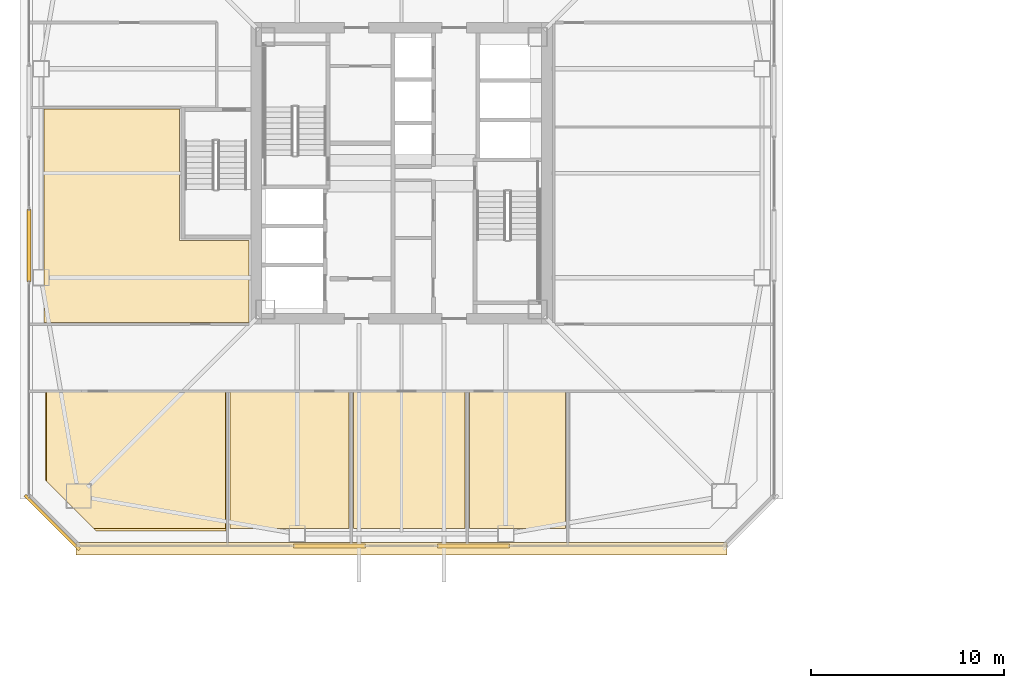
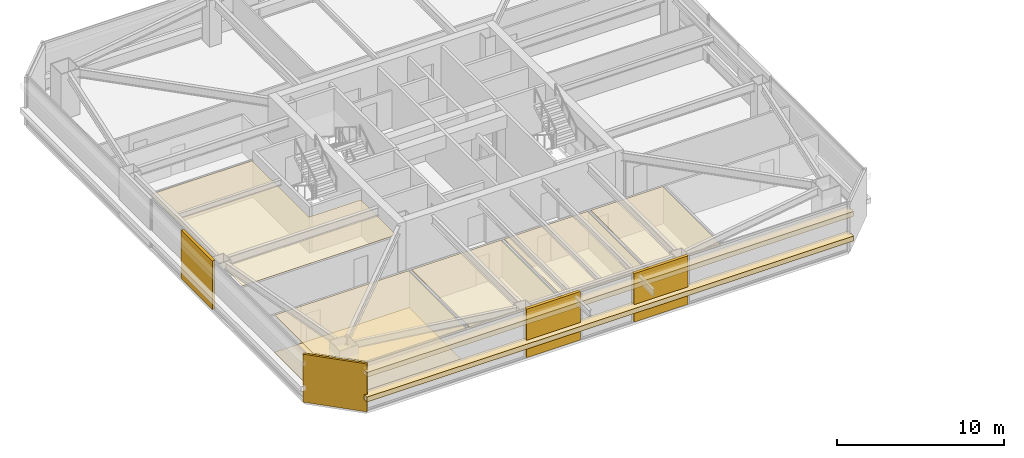
# One storey, part 37 of 42: 12 coverings.
"""IFC4 building model written with IfcOpenShell, lengths in metres."""

from ifc_helpers import new_model, si_unit, direction, frame, origin, origin_2d, place, context, subcontext, project, spatial, polyline, rectangle, outline, extrude, material, layer, layer_set, type_object, element, save


model = new_model("IFC4")

# Units and contexts
model_context = context("Model", 3, precision=1e-05, world=origin(), true_north=direction((0.0, 1.0)))
body_context = subcontext(model_context, "Body", "Model", "MODEL_VIEW")
ifc_project = project(units=[si_unit("LENGTHUNIT", "METRE"), si_unit("AREAUNIT", "SQUARE_METRE"), si_unit("VOLUMEUNIT", "CUBIC_METRE"), si_unit("PLANEANGLEUNIT", "RADIAN"), si_unit("MASSUNIT", "GRAM", prefix="KILO")], contexts=[model_context])

# Site, building, storey
site_placement = place(None, origin())
site = spatial("IfcSite", under=ifc_project, at=site_placement, CompositionType="ELEMENT")
building_placement = place(site_placement, origin())
building = spatial("IfcBuilding", under=site, at=building_placement, Name="Tashvorn Skyway Center", CompositionType="ELEMENT")
storey_placement = place(building_placement, frame((0.0, 0.0, 121.5)))
storey = spatial("IfcBuildingStorey", under=building, at=storey_placement, Name="L32", CompositionType="ELEMENT", Elevation=121.5)

# Coverings
ifc_material_1 = material(Name="Precast concrete C40/50", Category="concrete")
ifc_layer_1 = layer(ifc_material_1, 0.199951171875)
ifc_layer_set_1 = layer_set([ifc_layer_1], Name="Precast concrete C40/50")
covering_type_1 = type_object("IfcCoveringType", Name="COV-BRACE-CLAD", PredefinedType="CLADDING", material=ifc_layer_set_1)
for number, where, z_axis, x_axis, name in (
    (1, (45.728759765625, 12.719970703125, 0.0), (0.0, 0.0, 1.0), (-1.0, 0.0, 0.0), "Tower 1 L32 South Unitised Curtain Wall Mega-Brace Cladding Band 1"),
    (2, (38.271240234375, 12.719970703125, 0.0), (0.0, 0.0, 1.0), (-1.0, 0.0, 0.0), "Tower 1 L32 South Unitised Curtain Wall Mega-Brace Cladding Band 2"),
    (3, (22.719970703125, 28.271240234375, 0.0), (0.0, 0.0, 1.0), (0.0, 1.0, 0.0), "Tower 1 L32 West Unitised Curtain Wall Mega-Brace Cladding Band 1"),
):
    element("IfcCovering", number, at=place(storey_placement, frame(where, z_axis=z_axis, x_axis=x_axis)), inside=storey, type_object=covering_type_1, Name=name, PredefinedType="CLADDING", context=body_context, shape_type="SweptSolid", body=[
        extrude(rectangle(XDim=3.72900390625, YDim=0.199951171875, at=origin_2d()), origin(), (0.0, 0.0, 1.0), 3.550048828125),
    ])
ifc_material_2 = material(Name="Mineral-fibre acoustic ceiling tile on suspended grid")
ifc_layer_2 = layer(ifc_material_2, 0.02001953125)
ifc_layer_set_2 = layer_set([ifc_layer_2], Name="Mineral-fibre acoustic ceiling tile on suspended grid")
covering_type_2 = type_object("IfcCoveringType", Name="COV-CEIL-20", PredefinedType="CEILING", material=ifc_layer_set_2)
covering_1_placement = place(storey_placement, frame((0.0, 0.0, 2.702880859375)))
element("IfcCovering", 4, at=covering_1_placement, inside=storey, type_object=covering_type_2, Name="Tower 1 L32 Executive Study Lounge Acoustic Ceiling", PredefinedType="CEILING", context=body_context, shape_type="SweptSolid", body=[
    extrude(outline(polyline([(23.6201171875, 20.68994140625), (32.8798828125, 20.68994140625), (32.8798828125, 13.6201171875), (26.080078125, 13.6201171875), (23.6201171875, 16.080078125), (23.6201171875, 20.68994140625)])), origin(), (0.0, 0.0, 1.0), 0.02001953125),
])
covering_2_placement = place(storey_placement, frame((0.0, 0.0, 2.702880859375)))
element("IfcCovering", 5, at=covering_2_placement, inside=storey, type_object=covering_type_2, Name="Tower 1 L32 Design Studio Acoustic Ceiling", PredefinedType="CEILING", context=body_context, shape_type="SweptSolid", body=[
    extrude(outline(polyline([(33.1201171875, 20.68994140625), (39.280029296875, 20.68994140625), (39.280029296875, 13.6201171875), (33.1201171875, 13.6201171875), (33.1201171875, 20.68994140625)])), origin(), (0.0, 0.0, 1.0), 0.02001953125),
])
covering_3_placement = place(storey_placement, frame((0.0, 0.0, 2.702880859375)))
element("IfcCovering", 6, at=covering_3_placement, inside=storey, type_object=covering_type_2, Name="Tower 1 L32 Design Studio Acoustic Ceiling", PredefinedType="CEILING", context=body_context, shape_type="SweptSolid", body=[
    extrude(outline(polyline([(39.52001953125, 20.68994140625), (45.280029296875, 20.68994140625), (45.280029296875, 13.6201171875), (39.52001953125, 13.6201171875), (39.52001953125, 20.68994140625)])), origin(), (0.0, 0.0, 1.0), 0.02001953125),
])
covering_4_placement = place(storey_placement, frame((0.0, 0.0, 2.702880859375)))
element("IfcCovering", 7, at=covering_4_placement, inside=storey, type_object=covering_type_2, Name="Tower 1 L32 Reading Lounge Acoustic Ceiling", PredefinedType="CEILING", context=body_context, shape_type="SweptSolid", body=[
    extrude(outline(polyline([(45.52001953125, 20.68994140625), (50.47998046875, 20.68994140625), (50.47998046875, 13.6201171875), (45.52001953125, 13.6201171875), (45.52001953125, 20.68994140625)])), origin(), (0.0, 0.0, 1.0), 0.02001953125),
])
covering_5_placement = place(storey_placement, frame((0.0, 0.0, 2.702880859375)))
element("IfcCovering", 8, at=covering_5_placement, inside=storey, type_object=covering_type_2, Name="Tower 1 L32 Public Restroom Acoustic Ceiling", PredefinedType="CEILING", context=body_context, shape_type="SweptSolid", body=[
    extrude(outline(polyline([(34.1201171875, 24.280029296875), (23.5, 24.280029296875), (23.5, 28.52001953125), (23.5, 35.320068359375), (30.52001953125, 35.320068359375), (30.52001953125, 28.52001953125), (34.1201171875, 28.52001953125), (34.1201171875, 24.280029296875)])), origin(), (0.0, 0.0, 1.0), 0.02001953125),
])
ifc_material_3 = material(Name="Polished Mojave desert-aggregate terrazzo and cover plate")
ifc_layer_3 = layer(ifc_material_3, 0.0400390625)
ifc_layer_set_3 = layer_set([ifc_layer_3], Name="Polished Mojave desert-aggregate terrazzo and cover plate")
covering_type_3 = type_object("IfcCoveringType", Name="COV-FLR-40", PredefinedType="FLOORING", material=ifc_layer_set_3)
covering_6_placement = place(storey_placement, origin())
element("IfcCovering", 9, at=covering_6_placement, inside=storey, type_object=covering_type_3, Name="Tower 1 L32 Executive Study Lounge Finish Flooring", PredefinedType="FLOORING", context=body_context, shape_type="SweptSolid", body=[
    extrude(outline(polyline([(26.199951171875, 13.5), (23.580078125, 16.1201171875), (23.580078125, 20.64990234375), (32.919921875, 20.64990234375), (32.919921875, 13.5), (26.199951171875, 13.5)])), origin(), (0.0, 0.0, 1.0), 0.0400390625),
])
ifc_material_4 = material(Name="Perforated ceramic-coated bronze aluminium solar screen", Category="aluminium")
ifc_layer_4 = layer(ifc_material_4, 0.85009765625)
ifc_layer_set_4 = layer_set([ifc_layer_4], Name="Perforated ceramic-coated bronze aluminium solar screen")
covering_type_4 = type_object("IfcCoveringType", Name="COV-SOLAR-BAND", PredefinedType="CLADDING", material=ifc_layer_set_4)
for number, where, z_axis, x_axis, name in (
    (10, (42.0, 12.580078125, 0.919921875), (0.0, 0.0, 1.0), (-1.0, 0.0, 0.0), "L32 Perforated Ceramic-Metal Solar Screen Louvre Band South 1"),
    (11, (42.0, 12.580078125, 2.7197265625), (0.0, 0.0, 1.0), (-1.0, 0.0, 0.0), "L32 Perforated Ceramic-Metal Solar Screen Louvre Band South 2"),
):
    element("IfcCovering", number, at=place(storey_placement, frame(where, z_axis=z_axis, x_axis=x_axis)), inside=storey, type_object=covering_type_4, Name=name, PredefinedType="CLADDING", context=body_context, shape_type="SweptSolid", body=[
        extrude(rectangle(XDim=33.679931640625, YDim=0.639892578125, at=origin_2d()), origin(), (0.0, 0.0, 1.0), 0.360107421875),
    ])
ifc_layer_5 = layer(ifc_material_1, 0.35009765625)
ifc_layer_set_5 = layer_set([ifc_layer_5], Name="Precast concrete C40/50")
covering_type_5 = type_object("IfcCoveringType", Name="COV-STONE-TRIM", PredefinedType="CLADDING", material=ifc_layer_set_5)
covering_7_placement = place(storey_placement, frame((23.929931640625, 13.929931640625, 0.02001953125), z_axis=(0.0, 0.0, 1.0), x_axis=(-0.707106781187, 0.707106781187, 0.0)))
element("IfcCovering", 12, at=covering_7_placement, inside=storey, type_object=covering_type_5, Name="Tower 1 L32 SW Mojave Limestone Corner Quoin", PredefinedType="CLADDING", context=body_context, shape_type="SweptSolid", body=[
    extrude(rectangle(XDim=3.978515625, YDim=0.139892578125, at=origin_2d()), origin(), (0.0, 0.0, 1.0), 3.510009765625),
])

save(model, "model.ifc")
